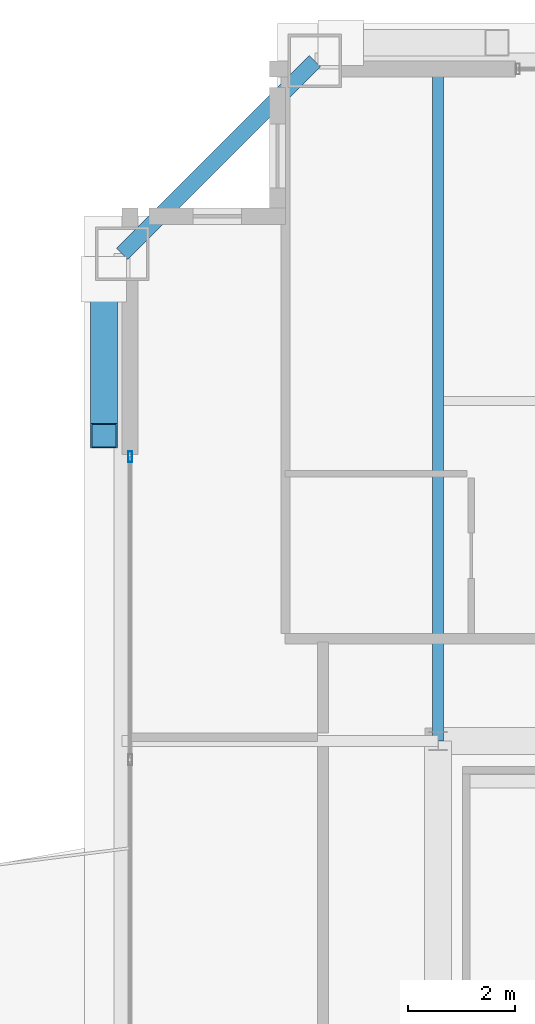
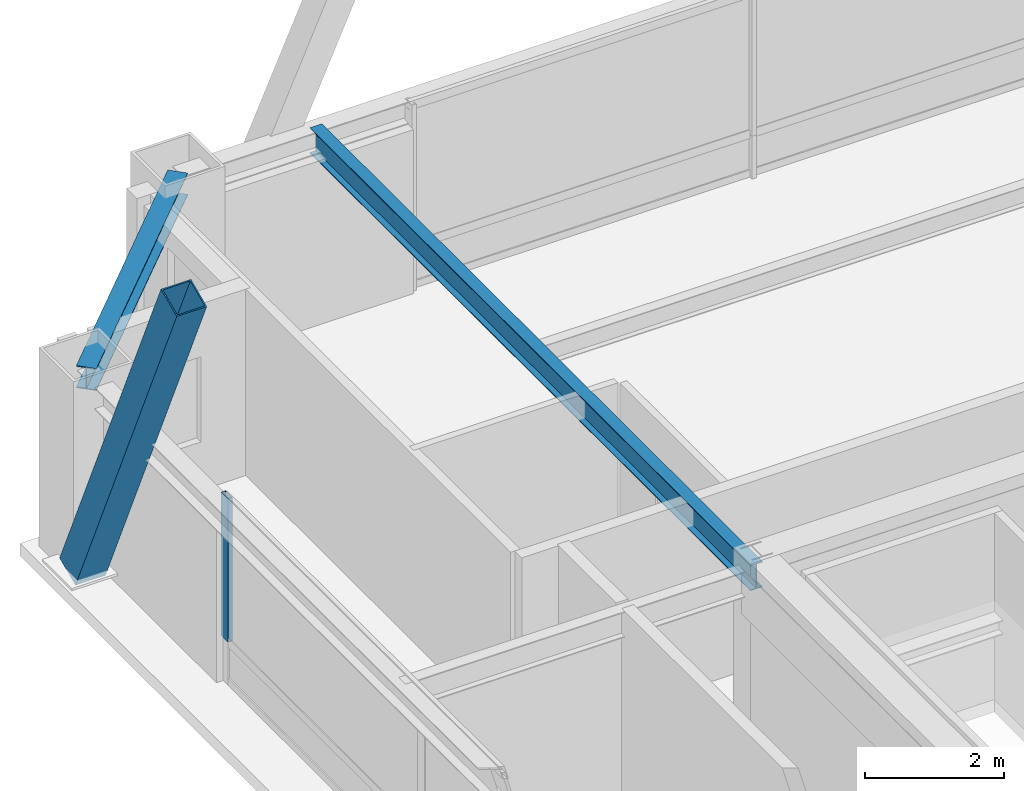
# One storey, part 14 of 33: 2 beams, 2 members, 1 element without a shape of its own.
"""IFC4 building model written with IfcOpenShell, lengths in metres."""

from ifc_helpers import new_model, si_unit, direction, frame, origin, origin_2d, place, context, subcontext, project, spatial, hollow_rectangle, i_section, extrude, source, transform, mapped, material, layer, layer_set, material_profile, profile_set, type_object, element, aggregate, save


model = new_model("IFC4")

# Units and contexts
model_context = context("Model", 3, precision=1e-05, world=origin(), true_north=direction((0.0, 1.0)))
body_context = subcontext(model_context, "Body", "Model", "MODEL_VIEW")
ifc_project = project(units=[si_unit("LENGTHUNIT", "METRE"), si_unit("AREAUNIT", "SQUARE_METRE"), si_unit("VOLUMEUNIT", "CUBIC_METRE"), si_unit("PLANEANGLEUNIT", "RADIAN"), si_unit("MASSUNIT", "GRAM", prefix="KILO"), si_unit("THERMODYNAMICTEMPERATUREUNIT", "KELVIN"), si_unit("POWERUNIT", "WATT")], contexts=[model_context])

# Site, building, storey
site_placement = place(None, origin())
site = spatial("IfcSite", under=ifc_project, at=site_placement, CompositionType="ELEMENT")
building_placement = place(site_placement, origin())
building = spatial("IfcBuilding", under=site, at=building_placement, Name="Yuzanri Waterfront Tower", CompositionType="ELEMENT")
storey_placement = place(building_placement, frame((0.0, 0.0, 321.699951171875)))
storey = spatial("IfcBuildingStorey", under=building, at=storey_placement, Name="L86", CompositionType="ELEMENT", Elevation=321.699951171875)

# Beams
ifc_material_1 = material(Name="Steel Q355B", Category="steel")
ifc_material_profile_1 = material_profile(ifc_material_1, i_section(OverallWidth=0.300048828125, OverallDepth=0.389892578125, WebThickness=0.010009765625, FlangeThickness=0.01611328125, at=origin_2d()), Name="HM 390x300x10x16")
ifc_profile_set_1 = profile_set([ifc_material_profile_1], Name="Steel Q355B")
beam_type_1 = type_object("IfcBeamType", Name="Perimeter Spandrel Q355B HM 390x300", PredefinedType="SPANDREL", material=ifc_profile_set_1)
shared_shape_1 = source(origin(), body_context, "Body", "SweptSolid", [
    extrude(i_section(OverallWidth=0.300048828125, OverallDepth=0.389892578125, WebThickness=0.010009765625, FlangeThickness=0.01611328125, at=origin_2d()), origin(), (0.0, 0.0, 1.0), 5.091064453125),
])
beam_1_placement = place(storey_placement, frame((21.5, 44.89990234375, 3.0849609375), z_axis=(-0.707130757816, -0.707082803744, 0.0), x_axis=(0.707082803744, -0.707130757816, 0.0)))
element("IfcBeam", 1, at=beam_1_placement, inside=storey, type_object=beam_type_1, Name="L86 Perimeter Spandrel N1-W3", PredefinedType="SPANDREL", context=body_context, shape_type="MappedRepresentation", body=[
    mapped(shared_shape_1, transform((0.0, 0.0, 0.0), scale=1.0)),
])
ifc_material_2 = material(Name="Steel Q355B", Category="steel")
ifc_material_profile_2 = material_profile(ifc_material_2, i_section(OverallWidth=0.199951171875, OverallDepth=0.449951171875, WebThickness=0.009033203125, FlangeThickness=0.013916015625, at=origin_2d()), Name="HN 450x200x9x14")
ifc_profile_set_2 = profile_set([ifc_material_profile_2], Name="Steel Q355B")
beam_type_2 = type_object("IfcBeamType", Name="Secondary Floor Beam Q355B HN 450x200", PredefinedType="BEAM", material=ifc_profile_set_2)
shared_shape_2 = source(origin(), body_context, "Body", "SweptSolid", [
    extrude(i_section(OverallWidth=0.199951171875, OverallDepth=0.449951171875, WebThickness=0.009033203125, FlangeThickness=0.013916015625, at=origin_2d()), origin(), (0.0, 0.0, 1.0), 12.699951171875),
])
beam_2_placement = place(storey_placement, frame((23.800048828125, 32.199951171875, 3.054931640625), z_axis=(0.0, 1.0, 0.0), x_axis=(-1.0, 0.0, 0.0)))
element("IfcBeam", 2, at=beam_2_placement, inside=storey, type_object=beam_type_2, Name="L86 North-West Core Line Beam", PredefinedType="BEAM", context=body_context, shape_type="MappedRepresentation", body=[
    mapped(shared_shape_2, transform((0.0, 0.0, 0.0), scale=1.0)),
])

# Member
ifc_material_3 = material(Name="Steel Q390GJC", Category="steel")
ifc_material_profile_3 = material_profile(ifc_material_3, hollow_rectangle(XDim=0.5, YDim=0.5, WallThickness=0.02197265625, at=origin_2d()), Name="RHS 500x500x22")
ifc_profile_set_3 = profile_set([ifc_material_profile_3], Name="Steel Q390GJC")
member_type_1 = type_object("IfcMemberType", Name="Mega Brace Upper Q390GJC RHS 500x500x22", PredefinedType="BRACE", material=ifc_profile_set_3)
shared_shape_3 = source(origin(), body_context, "Body", "SweptSolid", [
    extrude(hollow_rectangle(XDim=0.5, YDim=0.5, WallThickness=0.02197265625, at=origin_2d()), origin(), (0.0, 0.0, 1.0), 7.125732421875),
])
member_1_placement = place(storey_placement, frame((17.56005859375, 40.820068359375, 0.179931640625), z_axis=(0.0, -0.409800461192, 0.912175192607), x_axis=(1.0, 0.0, 0.0)))
element("IfcMember", 3, at=member_1_placement, inside=storey, type_object=member_type_1, Name="L86-L87 Perimeter Mega-Brace W-R", PredefinedType="BRACE", context=body_context, shape_type="MappedRepresentation", body=[
    mapped(shared_shape_3, transform((0.0, 0.0, 0.0), scale=1.0)),
])

# Curtain wall, member
ifc_material_4 = material(Name="Anodized Architectural Bronze", Category="metal")
ifc_layer = layer(ifc_material_4, 0.159912109375)
ifc_layer_set = layer_set([ifc_layer], Name="Anodized Architectural Bronze")
curtain_wall_type = type_object("IfcCurtainWallType", Name="Anodized Bronze High-Rise Penthouse High-Wind Unitized Curtain Wall 6900", PredefinedType="NOTDEFINED", material=ifc_layer_set)
curtain_wall_placement = place(storey_placement, origin())
curtain_wall = element("IfcCurtainWall", 4, at=curtain_wall_placement, inside=storey, type_object=curtain_wall_type, Name="L86 Curtain Wall CW-L86-WR", PredefinedType="NOTDEFINED")
ifc_material_5 = material(Name="Anodized Architectural Bronze", Category="metal")
ifc_material_profile_4 = material_profile(ifc_material_5, hollow_rectangle(XDim=0.074951171875, YDim=0.199951171875, WallThickness=0.00390625, at=origin_2d()), Name="CWM 75x200")
ifc_profile_set_4 = profile_set([ifc_material_profile_4], Name="Anodized Architectural Bronze")
member_type_2 = type_object("IfcMemberType", Name="Anodized Bronze Primary Curtain-Wall Mullion 75x200", PredefinedType="MULLION", material=ifc_profile_set_4)
shared_shape_4 = source(origin(), body_context, "Body", "SweptSolid", [
    extrude(hollow_rectangle(XDim=0.074951171875, YDim=0.199951171875, WallThickness=0.00390625, at=origin_2d()), origin(), (0.0, 0.0, 1.0), 2.52392578125),
])
member_2_placement = place(storey_placement, frame((18.050048828125, 37.510009765625, 0.756103515625), z_axis=(0.0, 0.0, 1.0), x_axis=(1.0, 0.0, 0.0)))
member_2 = element("IfcMember", 5, at=member_2_placement, type_object=member_type_2, Name="CW-L86-WR Upper Mullion 02", PredefinedType="MULLION", context=body_context, shape_type="MappedRepresentation", body=[
    mapped(shared_shape_4, transform((0.0, 0.0, 0.0), scale=1.0)),
])
aggregate(curtain_wall, [member_2])

save(model, "model.ifc")
